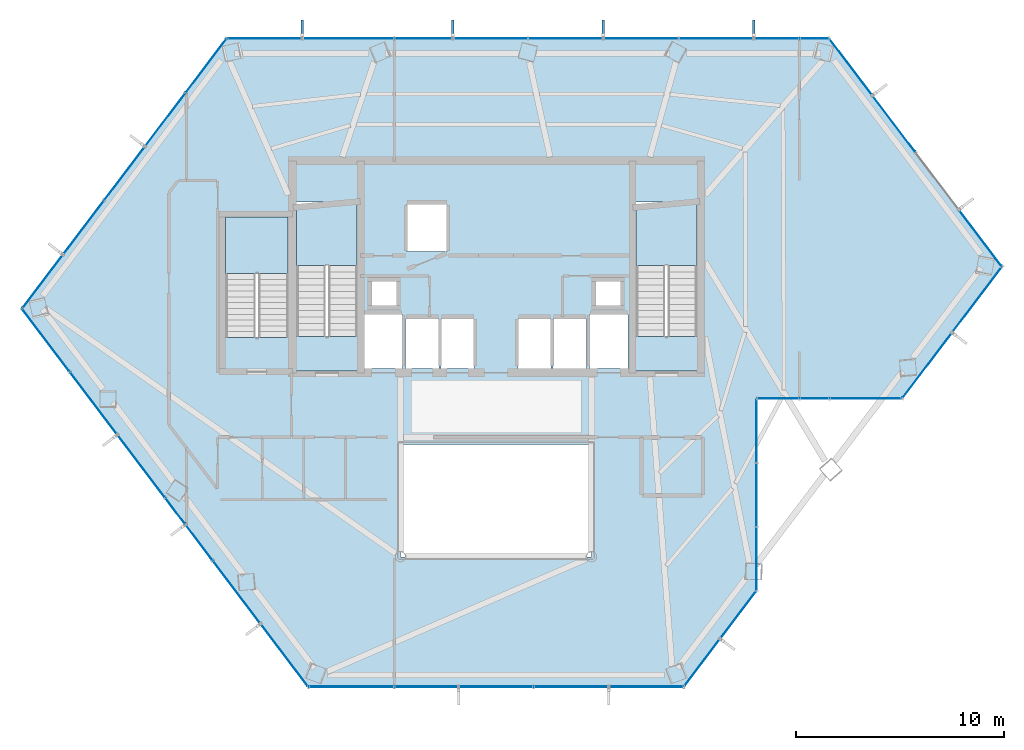
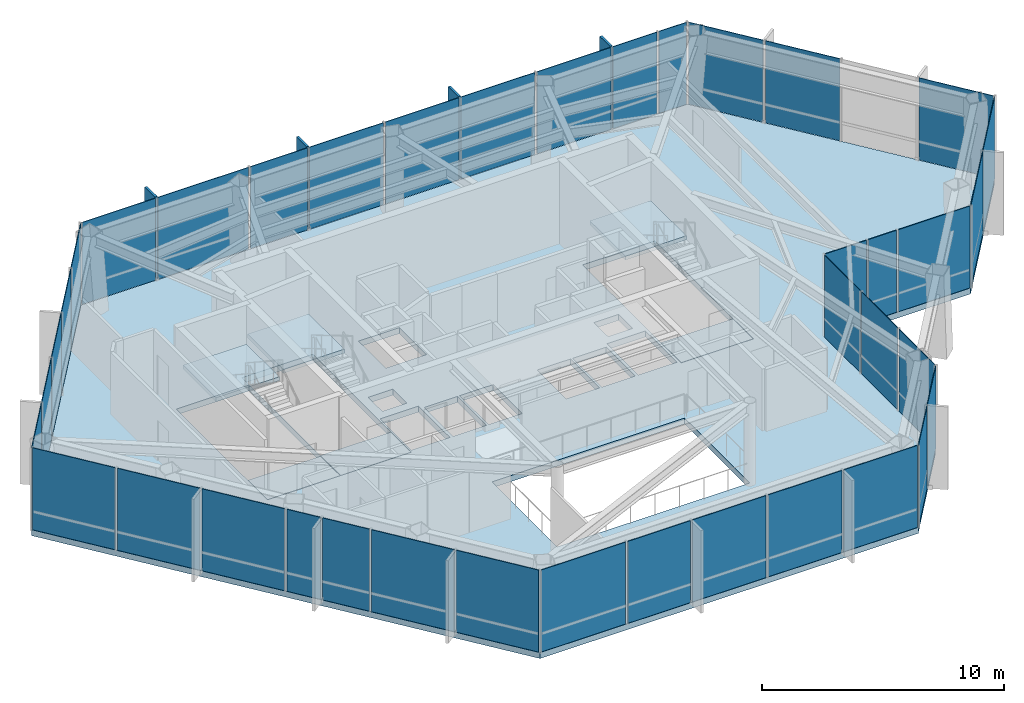
# One storey, part 21 of 25: 39 plates, 7 slabs, 4 members, 12 elements without a shape of their own.
"""IFC4 building model written with IfcOpenShell, lengths in metres."""

from ifc_helpers import new_model, si_unit, direction, frame, origin, origin_2d, place, context, subcontext, project, spatial, polyline, rectangle, outline, extrude, material, layer, layer_set, material_profile, profile_set, type_object, element, aggregate, save


model = new_model("IFC4")

# Units and contexts
model_context = context("Model", 3, precision=1e-05, world=origin(), true_north=direction((0.0, 1.0)))
body_context = subcontext(model_context, "Body", "Model", "MODEL_VIEW")
ifc_project = project(units=[si_unit("LENGTHUNIT", "METRE"), si_unit("AREAUNIT", "SQUARE_METRE"), si_unit("VOLUMEUNIT", "CUBIC_METRE"), si_unit("PLANEANGLEUNIT", "RADIAN"), si_unit("MASSUNIT", "GRAM", prefix="KILO")], contexts=[model_context])

# Site, building, storey
site_placement = place(None, origin())
site = spatial("IfcSite", under=ifc_project, at=site_placement, CompositionType="ELEMENT")
building_placement = place(site_placement, origin())
building = spatial("IfcBuilding", under=site, at=building_placement, Name="Zarrinselat Tower", CompositionType="ELEMENT")
storey_placement = place(building_placement, frame((0.0, 0.0, 119.0)))
storey = spatial("IfcBuildingStorey", under=building, at=storey_placement, Name="L28", CompositionType="ELEMENT", Elevation=119.0)

# Curtain wall, members
ifc_material_1 = material(Name="Extruded Aluminium Alloy EN AW-6063 T6", Category="aluminium")
ifc_layer_1 = layer(ifc_material_1, 0.195068359375)
ifc_layer_set_1 = layer_set([ifc_layer_1], Name="Extruded Aluminium Alloy EN AW-6063 T6")
curtain_wall_type_1 = type_object("IfcCurtainWallType", Name="CWS-GDN", PredefinedType="NOTDEFINED", material=ifc_layer_set_1)
curtain_wall_1_placement = place(storey_placement, origin())
curtain_wall_1 = element("IfcCurtainWall", 1, at=curtain_wall_1_placement, inside=storey, type_object=curtain_wall_type_1, Name="L28 Unitised Curtain Wall CW-L28-E04", PredefinedType="NOTDEFINED")
ifc_material_2 = material(Name="Honed Cream Travertine Stone", Category="masonry")
ifc_material_profile = material_profile(ifc_material_2, rectangle(XDim=0.1201171875, YDim=0.85009765625, at=origin_2d()), Name="FIN 850x120")
ifc_profile_set = profile_set([ifc_material_profile], Name="Honed Cream Travertine Stone")
member_type = type_object("IfcMemberType", Name="MEM-STONE-FIN", PredefinedType="USERDEFINED", material=ifc_profile_set)
member_1_placement = place(storey_placement, frame((29.067138671875, 49.804443359375, 0.0), z_axis=(0.0, 0.0, 1.0), x_axis=(1.0, 0.0, 0.0)))
member_1 = element("IfcMember", 2, at=member_1_placement, type_object=member_type, Name="L28 Stone Shading Fin CW-L28-E04-01", ObjectType="FIN", PredefinedType="USERDEFINED", context=body_context, shape_type="SweptSolid", body=[
    extrude(rectangle(XDim=0.1201171875, YDim=0.85009765625, at=origin_2d()), origin(), (0.0, 0.0, 1.0), 4.179931640625),
])
member_2_placement = place(storey_placement, frame((36.3125, 49.804443359375, 0.0), z_axis=(0.0, 0.0, 1.0), x_axis=(1.0, 0.0, 0.0)))
member_2 = element("IfcMember", 3, at=member_2_placement, type_object=member_type, Name="L28 Stone Shading Fin CW-L28-E04-03", ObjectType="FIN", PredefinedType="USERDEFINED", context=body_context, shape_type="SweptSolid", body=[
    extrude(rectangle(XDim=0.1201171875, YDim=0.85009765625, at=origin_2d()), origin(), (0.0, 0.0, 1.0), 4.179931640625),
])
member_3_placement = place(storey_placement, frame((43.55810546875, 49.804443359375, 0.0), z_axis=(0.0, 0.0, 1.0), x_axis=(1.0, 0.0, 0.0)))
member_3 = element("IfcMember", 4, at=member_3_placement, type_object=member_type, Name="L28 Stone Shading Fin CW-L28-E04-05", ObjectType="FIN", PredefinedType="USERDEFINED", context=body_context, shape_type="SweptSolid", body=[
    extrude(rectangle(XDim=0.1201171875, YDim=0.85009765625, at=origin_2d()), origin(), (0.0, 0.0, 1.0), 4.179931640625),
])
member_4_placement = place(storey_placement, frame((50.8037109375, 49.804443359375, 0.0), z_axis=(0.0, 0.0, 1.0), x_axis=(1.0, 0.0, 0.0)))
member_4 = element("IfcMember", 5, at=member_4_placement, type_object=member_type, Name="L28 Stone Shading Fin CW-L28-E04-07", ObjectType="FIN", PredefinedType="USERDEFINED", context=body_context, shape_type="SweptSolid", body=[
    extrude(rectangle(XDim=0.1201171875, YDim=0.85009765625, at=origin_2d()), origin(), (0.0, 0.0, 1.0), 4.179931640625),
])

# Curtain wall, plates
curtain_wall_2_placement = place(storey_placement, origin())
curtain_wall_2 = element("IfcCurtainWall", 6, at=curtain_wall_2_placement, inside=storey, type_object=curtain_wall_type_1, Name="L28 Unitised Curtain Wall CW-L28-E01", PredefinedType="NOTDEFINED")
ifc_material_3 = material(Name="Double Low-E Laminated Solar Glass", Category="glass")
ifc_layer_2 = layer(ifc_material_3, 0.031982421875)
ifc_layer_set_2 = layer_set([ifc_layer_2], Name="Double Low-E Laminated Solar Glass")
plate_type = type_object("IfcPlateType", Name="PLT-CW-GL32", PredefinedType="CURTAIN_PANEL", material=ifc_layer_set_2)
plate_1_placement = place(storey_placement, frame((45.625732421875, 18.147216796875, 0.02001953125), z_axis=(0.0, 0.0, 1.0), x_axis=(-1.0, 0.0, 0.0)))
plate_1 = element("IfcPlate", 7, at=plate_1_placement, type_object=plate_type, Name="CW-L28-E01 Vision Glass Panel 1", PredefinedType="CURTAIN_PANEL", context=body_context, shape_type="SweptSolid", body=[
    extrude(rectangle(XDim=3.512939453125, YDim=0.031982421875, at=origin_2d()), origin(), (0.0, 0.0, 1.0), 4.139892578125),
])
plate_2_placement = place(storey_placement, frame((42.012939453125, 18.147216796875, 0.02001953125), z_axis=(0.0, 0.0, 1.0), x_axis=(-1.0, 0.0, 0.0)))
plate_2 = element("IfcPlate", 8, at=plate_2_placement, type_object=plate_type, Name="CW-L28-E01 Vision Glass Panel 2", PredefinedType="CURTAIN_PANEL", context=body_context, shape_type="SweptSolid", body=[
    extrude(rectangle(XDim=3.512939453125, YDim=0.031982421875, at=origin_2d()), origin(), (0.0, 0.0, 1.0), 4.139892578125),
])
plate_3_placement = place(storey_placement, frame((38.39990234375, 18.147216796875, 0.02001953125), z_axis=(0.0, 0.0, 1.0), x_axis=(-1.0, 0.0, 0.0)))
plate_3 = element("IfcPlate", 9, at=plate_3_placement, type_object=plate_type, Name="CW-L28-E01 Vision Glass Panel 3", PredefinedType="CURTAIN_PANEL", context=body_context, shape_type="SweptSolid", body=[
    extrude(rectangle(XDim=3.512939453125, YDim=0.031982421875, at=origin_2d()), origin(), (0.0, 0.0, 1.0), 4.139892578125),
])
plate_4_placement = place(storey_placement, frame((35.046875, 18.147216796875, 0.02001953125), z_axis=(0.0, 0.0, 1.0), x_axis=(-1.0, 0.0, 0.0)))
plate_4 = element("IfcPlate", 10, at=plate_4_placement, type_object=plate_type, Name="CW-L28-E01 Vision Glass Panel 4", PredefinedType="CURTAIN_PANEL", context=body_context, shape_type="SweptSolid", body=[
    extrude(rectangle(XDim=2.993408203125, YDim=0.031982421875, at=origin_2d()), origin(), (0.0, 0.0, 1.0), 4.139892578125),
])
plate_5_placement = place(storey_placement, frame((31.433837890625, 18.147216796875, 0.02001953125), z_axis=(0.0, 0.0, 1.0), x_axis=(-1.0, 0.0, 0.0)))
plate_5 = element("IfcPlate", 11, at=plate_5_placement, type_object=plate_type, Name="CW-L28-E01 Vision Glass Panel 5", PredefinedType="CURTAIN_PANEL", context=body_context, shape_type="SweptSolid", body=[
    extrude(rectangle(XDim=4.0322265625, YDim=0.031982421875, at=origin_2d()), origin(), (0.0, 0.0, 1.0), 4.139892578125),
])
aggregate(curtain_wall_2, [plate_1, plate_2, plate_3, plate_4, plate_5])

curtain_wall_3_placement = place(storey_placement, origin())
curtain_wall_3 = element("IfcCurtainWall", 12, at=curtain_wall_3_placement, inside=storey, type_object=curtain_wall_type_1, Name="L28 Unitised Curtain Wall CW-L28-E02", PredefinedType="NOTDEFINED")
plate_6_placement = place(storey_placement, frame((28.219482421875, 19.662841796875, 0.02001953125), z_axis=(0.0, 0.0, 1.0), x_axis=(-0.603858025511, 0.79709189246, 0.0)))
plate_6 = element("IfcPlate", 13, at=plate_6_placement, type_object=plate_type, Name="CW-L28-E02 Vision Glass Panel 1", PredefinedType="CURTAIN_PANEL", context=body_context, shape_type="SweptSolid", body=[
    extrude(rectangle(XDim=3.702880859375, YDim=0.031982421875, at=origin_2d()), origin(), (0.0, 0.0, 1.0), 4.139892578125),
])
plate_7_placement = place(storey_placement, frame((25.923095703125, 22.694091796875, 0.02001953125), z_axis=(0.0, 0.0, 1.0), x_axis=(-0.603858025511, 0.79709189246, 0.0)))
plate_7 = element("IfcPlate", 14, at=plate_7_placement, type_object=plate_type, Name="CW-L28-E02 Vision Glass Panel 2", PredefinedType="CURTAIN_PANEL", context=body_context, shape_type="SweptSolid", body=[
    extrude(rectangle(XDim=3.702880859375, YDim=0.031982421875, at=origin_2d()), origin(), (0.0, 0.0, 1.0), 4.139892578125),
])
plate_8_placement = place(storey_placement, frame((24.113525390625, 25.082763671875, 0.02001953125), z_axis=(0.0, 0.0, 1.0), x_axis=(-0.603858025511, 0.79709189246, 0.0)))
plate_8 = element("IfcPlate", 15, at=plate_8_placement, type_object=plate_type, Name="CW-L28-E02 Vision Glass Panel 3", PredefinedType="CURTAIN_PANEL", context=body_context, shape_type="SweptSolid", body=[
    extrude(rectangle(XDim=2.090087890625, YDim=0.031982421875, at=origin_2d()), origin(), (0.0, 0.0, 1.0), 4.139892578125),
])
plate_9_placement = place(storey_placement, frame((22.965087890625, 26.598388671875, 0.02001953125), z_axis=(0.0, 0.0, 1.0), x_axis=(-0.603858025511, 0.79709189246, 0.0)))
plate_9 = element("IfcPlate", 16, at=plate_9_placement, type_object=plate_type, Name="CW-L28-E02 Vision Glass Panel 4", PredefinedType="CURTAIN_PANEL", context=body_context, shape_type="SweptSolid", body=[
    extrude(rectangle(XDim=1.5126953125, YDim=0.031982421875, at=origin_2d()), origin(), (0.0, 0.0, 1.0), 4.139892578125),
])
plate_10_placement = place(storey_placement, frame((21.330078125, 28.7568359375, 0.02001953125), z_axis=(0.0, 0.0, 1.0), x_axis=(-0.603858025511, 0.79709189246, 0.0)))
plate_10 = element("IfcPlate", 17, at=plate_10_placement, type_object=plate_type, Name="CW-L28-E02 Vision Glass Panel 5", PredefinedType="CURTAIN_PANEL", context=body_context, shape_type="SweptSolid", body=[
    extrude(rectangle(XDim=3.702880859375, YDim=0.031982421875, at=origin_2d()), origin(), (0.0, 0.0, 1.0), 4.139892578125),
])
plate_11_placement = place(storey_placement, frame((19.03369140625, 31.7880859375, 0.02001953125), z_axis=(0.0, 0.0, 1.0), x_axis=(-0.603858025511, 0.79709189246, 0.0)))
plate_11 = element("IfcPlate", 18, at=plate_11_placement, type_object=plate_type, Name="CW-L28-E02 Vision Glass Panel 6", PredefinedType="CURTAIN_PANEL", context=body_context, shape_type="SweptSolid", body=[
    extrude(rectangle(XDim=3.702880859375, YDim=0.031982421875, at=origin_2d()), origin(), (0.0, 0.0, 1.0), 4.139892578125),
])
plate_12_placement = place(storey_placement, frame((16.737060546875, 34.8193359375, 0.02001953125), z_axis=(0.0, 0.0, 1.0), x_axis=(-0.603858025511, 0.79709189246, 0.0)))
plate_12 = element("IfcPlate", 19, at=plate_12_placement, type_object=plate_type, Name="CW-L28-E02 Vision Glass Panel 7", PredefinedType="CURTAIN_PANEL", context=body_context, shape_type="SweptSolid", body=[
    extrude(rectangle(XDim=3.702880859375, YDim=0.031982421875, at=origin_2d()), origin(), (0.0, 0.0, 1.0), 4.139892578125),
])
aggregate(curtain_wall_3, [plate_6, plate_7, plate_8, plate_9, plate_10, plate_11, plate_12])

curtain_wall_4_placement = place(storey_placement, origin())
curtain_wall_4 = element("IfcCurtainWall", 20, at=curtain_wall_4_placement, inside=storey, type_object=curtain_wall_type_1, Name="L28 Unitised Curtain Wall CW-L28-E03", PredefinedType="NOTDEFINED")
plate_13_placement = place(storey_placement, frame((16.574462890625, 37.635986328125, 0.02001953125), z_axis=(0.0, 0.0, 1.0), x_axis=(0.603856508336, 0.797093041834, 0.0)))
plate_13 = element("IfcPlate", 21, at=plate_13_placement, type_object=plate_type, Name="CW-L28-E03 Vision Glass Panel 1", PredefinedType="CURTAIN_PANEL", context=body_context, shape_type="SweptSolid", body=[
    extrude(rectangle(XDim=3.164306640625, YDim=0.031982421875, at=origin_2d()), origin(), (0.0, 0.0, 1.0), 4.139892578125),
])
plate_14_placement = place(storey_placement, frame((18.54541015625, 40.23779296875, 0.02001953125), z_axis=(0.0, 0.0, 1.0), x_axis=(0.603856508336, 0.797093041834, 0.0)))
plate_14 = element("IfcPlate", 22, at=plate_14_placement, type_object=plate_type, Name="CW-L28-E03 Vision Glass Panel 2", PredefinedType="CURTAIN_PANEL", context=body_context, shape_type="SweptSolid", body=[
    extrude(rectangle(XDim=3.164306640625, YDim=0.031982421875, at=origin_2d()), origin(), (0.0, 0.0, 1.0), 4.139892578125),
])
plate_15_placement = place(storey_placement, frame((20.5166015625, 42.839599609375, 0.02001953125), z_axis=(0.0, 0.0, 1.0), x_axis=(0.603856508336, 0.797093041834, 0.0)))
plate_15 = element("IfcPlate", 23, at=plate_15_placement, type_object=plate_type, Name="CW-L28-E03 Vision Glass Panel 3", PredefinedType="CURTAIN_PANEL", context=body_context, shape_type="SweptSolid", body=[
    extrude(rectangle(XDim=3.164306640625, YDim=0.031982421875, at=origin_2d()), origin(), (0.0, 0.0, 1.0), 4.139892578125),
])
plate_16_placement = place(storey_placement, frame((22.477294921875, 45.427734375, 0.02001953125), z_axis=(0.0, 0.0, 1.0), x_axis=(0.603856508336, 0.797093041834, 0.0)))
plate_16 = element("IfcPlate", 24, at=plate_16_placement, type_object=plate_type, Name="CW-L28-E03 Vision Glass Panel 4", PredefinedType="CURTAIN_PANEL", context=body_context, shape_type="SweptSolid", body=[
    extrude(rectangle(XDim=3.129150390625, YDim=0.031982421875, at=origin_2d()), origin(), (0.0, 0.0, 1.0), 4.139892578125),
])
plate_17_placement = place(storey_placement, frame((24.4482421875, 48.029541015625, 0.02001953125), z_axis=(0.0, 0.0, 1.0), x_axis=(0.603856508336, 0.797093041834, 0.0)))
plate_17 = element("IfcPlate", 25, at=plate_17_placement, type_object=plate_type, Name="CW-L28-E03 Vision Glass Panel 5", PredefinedType="CURTAIN_PANEL", context=body_context, shape_type="SweptSolid", body=[
    extrude(rectangle(XDim=3.19921875, YDim=0.031982421875, at=origin_2d()), origin(), (0.0, 0.0, 1.0), 4.139892578125),
])
aggregate(curtain_wall_4, [plate_13, plate_14, plate_15, plate_16, plate_17])

# Plate
plate_18_placement = place(storey_placement, frame((27.255859375, 49.344482421875, 0.02001953125), z_axis=(0.0, 0.0, 1.0), x_axis=(1.0, 0.0, 0.0)))
plate_18 = element("IfcPlate", 26, at=plate_18_placement, type_object=plate_type, Name="CW-L28-E04 Vision Glass Panel 1", PredefinedType="CURTAIN_PANEL", context=body_context, shape_type="SweptSolid", body=[
    extrude(rectangle(XDim=3.522705078125, YDim=0.031982421875, at=origin_2d()), origin(), (0.0, 0.0, 1.0), 4.139892578125),
])

plate_19_placement = place(storey_placement, frame((31.28369140625, 49.344482421875, 0.02001953125), z_axis=(0.0, 0.0, 1.0), x_axis=(1.0, 0.0, 0.0)))
plate_19 = element("IfcPlate", 27, at=plate_19_placement, type_object=plate_type, Name="CW-L28-E04 Vision Glass Panel 2", PredefinedType="CURTAIN_PANEL", context=body_context, shape_type="SweptSolid", body=[
    extrude(rectangle(XDim=4.3330078125, YDim=0.031982421875, at=origin_2d()), origin(), (0.0, 0.0, 1.0), 4.139892578125),
])

plate_20_placement = place(storey_placement, frame((34.90625, 49.344482421875, 0.02001953125), z_axis=(0.0, 0.0, 1.0), x_axis=(1.0, 0.0, 0.0)))
plate_20 = element("IfcPlate", 28, at=plate_20_placement, type_object=plate_type, Name="CW-L28-E04 Vision Glass Panel 3", PredefinedType="CURTAIN_PANEL", context=body_context, shape_type="SweptSolid", body=[
    extrude(rectangle(XDim=2.712646484375, YDim=0.031982421875, at=origin_2d()), origin(), (0.0, 0.0, 1.0), 4.139892578125),
])

plate_21_placement = place(storey_placement, frame((38.1240234375, 49.344482421875, 0.02001953125), z_axis=(0.0, 0.0, 1.0), x_axis=(1.0, 0.0, 0.0)))
plate_21 = element("IfcPlate", 29, at=plate_21_placement, type_object=plate_type, Name="CW-L28-E04 Vision Glass Panel 4", PredefinedType="CURTAIN_PANEL", context=body_context, shape_type="SweptSolid", body=[
    extrude(rectangle(XDim=3.522705078125, YDim=0.031982421875, at=origin_2d()), origin(), (0.0, 0.0, 1.0), 4.139892578125),
])

plate_22_placement = place(storey_placement, frame((41.74658203125, 49.344482421875, 0.02001953125), z_axis=(0.0, 0.0, 1.0), x_axis=(1.0, 0.0, 0.0)))
plate_22 = element("IfcPlate", 30, at=plate_22_placement, type_object=plate_type, Name="CW-L28-E04 Vision Glass Panel 5", PredefinedType="CURTAIN_PANEL", context=body_context, shape_type="SweptSolid", body=[
    extrude(rectangle(XDim=3.522705078125, YDim=0.031982421875, at=origin_2d()), origin(), (0.0, 0.0, 1.0), 4.139892578125),
])

plate_23_placement = place(storey_placement, frame((45.369384765625, 49.344482421875, 0.02001953125), z_axis=(0.0, 0.0, 1.0), x_axis=(1.0, 0.0, 0.0)))
plate_23 = element("IfcPlate", 31, at=plate_23_placement, type_object=plate_type, Name="CW-L28-E04 Vision Glass Panel 6", PredefinedType="CURTAIN_PANEL", context=body_context, shape_type="SweptSolid", body=[
    extrude(rectangle(XDim=3.522705078125, YDim=0.031982421875, at=origin_2d()), origin(), (0.0, 0.0, 1.0), 4.139892578125),
])

plate_24_placement = place(storey_placement, frame((48.9921875, 49.344482421875, 0.02001953125), z_axis=(0.0, 0.0, 1.0), x_axis=(1.0, 0.0, 0.0)))
plate_24 = element("IfcPlate", 32, at=plate_24_placement, type_object=plate_type, Name="CW-L28-E04 Vision Glass Panel 7", PredefinedType="CURTAIN_PANEL", context=body_context, shape_type="SweptSolid", body=[
    extrude(rectangle(XDim=3.522705078125, YDim=0.031982421875, at=origin_2d()), origin(), (0.0, 0.0, 1.0), 4.139892578125),
])

plate_25_placement = place(storey_placement, frame((51.90185546875, 49.344482421875, 0.02001953125), z_axis=(0.0, 0.0, 1.0), x_axis=(1.0, 0.0, 0.0)))
plate_25 = element("IfcPlate", 33, at=plate_25_placement, type_object=plate_type, Name="CW-L28-E04 Vision Glass Panel 8", PredefinedType="CURTAIN_PANEL", context=body_context, shape_type="SweptSolid", body=[
    extrude(rectangle(XDim=2.096435546875, YDim=0.031982421875, at=origin_2d()), origin(), (0.0, 0.0, 1.0), 4.139892578125),
])

plate_26_placement = place(storey_placement, frame((53.713134765625, 49.344482421875, 0.02001953125), z_axis=(0.0, 0.0, 1.0), x_axis=(1.0, 0.0, 0.0)))
plate_26 = element("IfcPlate", 34, at=plate_26_placement, type_object=plate_type, Name="CW-L28-E04 Vision Glass Panel 9", PredefinedType="CURTAIN_PANEL", context=body_context, shape_type="SweptSolid", body=[
    extrude(rectangle(XDim=1.326416015625, YDim=0.031982421875, at=origin_2d()), origin(), (0.0, 0.0, 1.0), 4.139892578125),
])

aggregate(curtain_wall_1, [member_1, member_2, member_3, member_4, plate_18, plate_19, plate_20, plate_21, plate_22, plate_23, plate_24, plate_25, plate_26])

# Curtain wall, plates
curtain_wall_5_placement = place(storey_placement, origin())
curtain_wall_5 = element("IfcCurtainWall", 35, at=curtain_wall_5_placement, inside=storey, type_object=curtain_wall_type_1, Name="L28 Unitised Curtain Wall CW-L28-E05", PredefinedType="NOTDEFINED")
plate_27_placement = place(storey_placement, frame((55.46630859375, 47.9716796875, 0.02001953125), z_axis=(0.0, 0.0, 1.0), x_axis=(0.603856430388, -0.797093100885, 0.0)))
plate_27 = element("IfcPlate", 36, at=plate_27_placement, type_object=plate_type, Name="CW-L28-E05 Vision Glass Panel 1", PredefinedType="CURTAIN_PANEL", context=body_context, shape_type="SweptSolid", body=[
    extrude(rectangle(XDim=3.344482421875, YDim=0.031982421875, at=origin_2d()), origin(), (0.0, 0.0, 1.0), 4.139892578125),
])
plate_28_placement = place(storey_placement, frame((57.54638671875, 45.225830078125, 0.02001953125), z_axis=(0.0, 0.0, 1.0), x_axis=(0.603856430388, -0.797093100885, 0.0)))
plate_28 = element("IfcPlate", 37, at=plate_28_placement, type_object=plate_type, Name="CW-L28-E05 Vision Glass Panel 2", PredefinedType="CURTAIN_PANEL", context=body_context, shape_type="SweptSolid", body=[
    extrude(rectangle(XDim=3.344482421875, YDim=0.031982421875, at=origin_2d()), origin(), (0.0, 0.0, 1.0), 4.139892578125),
])
plate_29_placement = place(storey_placement, frame((61.70654296875, 39.734619140625, 0.02001953125), z_axis=(0.0, 0.0, 1.0), x_axis=(0.603856430388, -0.797093100885, 0.0)))
plate_29 = element("IfcPlate", 38, at=plate_29_placement, type_object=plate_type, Name="CW-L28-E05 Vision Glass Panel 4", PredefinedType="CURTAIN_PANEL", context=body_context, shape_type="SweptSolid", body=[
    extrude(rectangle(XDim=3.344482421875, YDim=0.031982421875, at=origin_2d()), origin(), (0.0, 0.0, 1.0), 4.139892578125),
])
aggregate(curtain_wall_5, [plate_27, plate_28, plate_29])

curtain_wall_6_placement = place(storey_placement, origin())
curtain_wall_6 = element("IfcCurtainWall", 39, at=curtain_wall_6_placement, inside=storey, type_object=curtain_wall_type_1, Name="L28 Unitised Curtain Wall CW-L28-E06", PredefinedType="NOTDEFINED")
plate_30_placement = place(storey_placement, frame((61.54443359375, 36.77490234375, 0.02001953125), z_axis=(0.0, 0.0, 1.0), x_axis=(-0.60386042105, -0.79709007765, 0.0)))
plate_30 = element("IfcPlate", 40, at=plate_30_placement, type_object=plate_type, Name="CW-L28-E06 Vision Glass Panel 1", PredefinedType="CURTAIN_PANEL", context=body_context, shape_type="SweptSolid", body=[
    extrude(rectangle(XDim=3.881103515625, YDim=0.031982421875, at=origin_2d()), origin(), (0.0, 0.0, 1.0), 4.139892578125),
])
plate_31_placement = place(storey_placement, frame((59.140380859375, 33.601806640625, 0.02001953125), z_axis=(0.0, 0.0, 1.0), x_axis=(-0.60386042105, -0.79709007765, 0.0)))
plate_31 = element("IfcPlate", 41, at=plate_31_placement, type_object=plate_type, Name="CW-L28-E06 Vision Glass Panel 2", PredefinedType="CURTAIN_PANEL", context=body_context, shape_type="SweptSolid", body=[
    extrude(rectangle(XDim=3.881103515625, YDim=0.031982421875, at=origin_2d()), origin(), (0.0, 0.0, 1.0), 4.139892578125),
])
aggregate(curtain_wall_6, [plate_30, plate_31])

ifc_material_4 = material(Name="Extruded Aluminium Alloy EN AW-6063 T6", Category="aluminium")
ifc_layer_3 = layer(ifc_material_4, 0.18994140625)
ifc_layer_set_3 = layer_set([ifc_layer_3], Name="Extruded Aluminium Alloy EN AW-6063 T6")
curtain_wall_type_2 = type_object("IfcCurtainWallType", Name="CWS-SG", PredefinedType="NOTDEFINED", material=ifc_layer_set_3)
curtain_wall_7_placement = place(storey_placement, origin())
curtain_wall_7 = element("IfcCurtainWall", 42, at=curtain_wall_7_placement, inside=storey, type_object=curtain_wall_type_2, Name="L28 Unitised Curtain Wall CW-L28-E07", PredefinedType="NOTDEFINED")
plate_32_placement = place(storey_placement, frame((56.1904296875, 32.014892578125, 0.02001953125), z_axis=(0.0, 0.0, 1.0), x_axis=(-1.0, 0.0, 0.0)))
plate_32 = element("IfcPlate", 43, at=plate_32_placement, type_object=plate_type, Name="CW-L28-E07 Vision Glass Panel 1", PredefinedType="CURTAIN_PANEL", context=body_context, shape_type="SweptSolid", body=[
    extrude(rectangle(XDim=3.39599609375, YDim=0.031982421875, at=origin_2d()), origin(), (0.0, 0.0, 1.0), 4.139892578125),
])
plate_33_placement = place(storey_placement, frame((53.72119140625, 32.014892578125, 0.02001953125), z_axis=(0.0, 0.0, 1.0), x_axis=(-1.0, 0.0, 0.0)))
plate_33 = element("IfcPlate", 44, at=plate_33_placement, type_object=plate_type, Name="CW-L28-E07 Vision Glass Panel 2", PredefinedType="CURTAIN_PANEL", context=body_context, shape_type="SweptSolid", body=[
    extrude(rectangle(XDim=1.34228515625, YDim=0.031982421875, at=origin_2d()), origin(), (0.0, 0.0, 1.0), 4.139892578125),
])
plate_34_placement = place(storey_placement, frame((51.973388671875, 32.014892578125, 0.02001953125), z_axis=(0.0, 0.0, 1.0), x_axis=(-1.0, 0.0, 0.0)))
plate_34 = element("IfcPlate", 45, at=plate_34_placement, type_object=plate_type, Name="CW-L28-E07 Vision Glass Panel 3", PredefinedType="CURTAIN_PANEL", context=body_context, shape_type="SweptSolid", body=[
    extrude(rectangle(XDim=1.95361328125, YDim=0.031982421875, at=origin_2d()), origin(), (0.0, 0.0, 1.0), 4.139892578125),
])
aggregate(curtain_wall_7, [plate_32, plate_33, plate_34])

curtain_wall_8_placement = place(storey_placement, origin())
curtain_wall_8 = element("IfcCurtainWall", 46, at=curtain_wall_8_placement, inside=storey, type_object=curtain_wall_type_2, Name="L28 Unitised Curtain Wall CW-L28-E24", PredefinedType="NOTDEFINED")
plate_35_placement = place(storey_placement, frame((50.931396484375, 30.4609375, 0.02001953125), z_axis=(0.0, 0.0, 1.0), x_axis=(0.0, -1.0, 0.0)))
plate_35 = element("IfcPlate", 47, at=plate_35_placement, type_object=plate_type, Name="CW-L28-E24 Vision Glass Panel 1", PredefinedType="CURTAIN_PANEL", context=body_context, shape_type="SweptSolid", body=[
    extrude(rectangle(XDim=2.97802734375, YDim=0.031982421875, at=origin_2d()), origin(), (0.0, 0.0, 1.0), 4.139892578125),
])
plate_36_placement = place(storey_placement, frame((50.931396484375, 27.383056640625, 0.02001953125), z_axis=(0.0, 0.0, 1.0), x_axis=(0.0, -1.0, 0.0)))
plate_36 = element("IfcPlate", 48, at=plate_36_placement, type_object=plate_type, Name="CW-L28-E24 Vision Glass Panel 2", PredefinedType="CURTAIN_PANEL", context=body_context, shape_type="SweptSolid", body=[
    extrude(rectangle(XDim=2.97802734375, YDim=0.031982421875, at=origin_2d()), origin(), (0.0, 0.0, 1.0), 4.139892578125),
])
plate_37_placement = place(storey_placement, frame((50.931396484375, 24.304931640625, 0.02001953125), z_axis=(0.0, 0.0, 1.0), x_axis=(0.0, -1.0, 0.0)))
plate_37 = element("IfcPlate", 49, at=plate_37_placement, type_object=plate_type, Name="CW-L28-E24 Vision Glass Panel 3", PredefinedType="CURTAIN_PANEL", context=body_context, shape_type="SweptSolid", body=[
    extrude(rectangle(XDim=2.97802734375, YDim=0.031982421875, at=origin_2d()), origin(), (0.0, 0.0, 1.0), 4.139892578125),
])
aggregate(curtain_wall_8, [plate_35, plate_36, plate_37])

curtain_wall_9_placement = place(storey_placement, origin())
curtain_wall_9 = element("IfcCurtainWall", 50, at=curtain_wall_9_placement, inside=storey, type_object=curtain_wall_type_1, Name="L28 Unitised Curtain Wall CW-L28-E25", PredefinedType="NOTDEFINED")
plate_38_placement = place(storey_placement, frame((50.056640625, 21.611328125, 0.02001953125), z_axis=(0.0, 0.0, 1.0), x_axis=(-0.60386042105, -0.79709007765, 0.0)))
plate_38 = element("IfcPlate", 51, at=plate_38_placement, type_object=plate_type, Name="CW-L28-E25 Vision Glass Panel 1", PredefinedType="CURTAIN_PANEL", context=body_context, shape_type="SweptSolid", body=[
    extrude(rectangle(XDim=2.79736328125, YDim=0.031982421875, at=origin_2d()), origin(), (0.0, 0.0, 1.0), 4.139892578125),
])
plate_39_placement = place(storey_placement, frame((48.30712890625, 19.3017578125, 0.02001953125), z_axis=(0.0, 0.0, 1.0), x_axis=(-0.60386042105, -0.79709007765, 0.0)))
plate_39 = element("IfcPlate", 52, at=plate_39_placement, type_object=plate_type, Name="CW-L28-E25 Vision Glass Panel 2", PredefinedType="CURTAIN_PANEL", context=body_context, shape_type="SweptSolid", body=[
    extrude(rectangle(XDim=2.79736328125, YDim=0.031982421875, at=origin_2d()), origin(), (0.0, 0.0, 1.0), 4.139892578125),
])
aggregate(curtain_wall_9, [plate_38, plate_39])

# Slabs
ifc_material_5 = material(Name="Concrete C40/50", Category="concrete")
ifc_layer_4 = layer(ifc_material_5, 0.300048828125)
ifc_layer_set_4 = layer_set([ifc_layer_4], Name="Concrete C40/50")
slab_type_1 = type_object("IfcSlabType", Name="SLB-FLOOR-300-SL-SK300", PredefinedType="FLOOR", material=ifc_layer_set_4)
slab_1_placement = place(storey_placement, frame((0.0, 0.0, -0.300048828125)))
element("IfcSlab", 53, at=slab_1_placement, inside=storey, type_object=slab_type_1, Name="L28 Primary Structural Slab", PredefinedType="FLOOR", context=body_context, shape_type="SweptSolid", body=[
    extrude(outline(polyline([(47.432373046875, 18.147216796875), (29.36767578125, 18.147216796875), (15.5888671875, 36.335205078125), (25.4443359375, 49.344482421875), (54.42626953125, 49.344482421875), (62.74658203125, 38.36181640625), (57.9384765625, 32.014892578125), (50.946533203125, 32.014892578125), (50.945068359375, 32.014892578125), (50.943603515625, 32.0146484375), (50.942138671875, 32.014404296875), (50.94091796875, 32.013916015625), (50.939453125, 32.01318359375), (50.938232421875, 32.012451171875), (50.93701171875, 32.01171875), (50.935791015625, 32.010498046875), (50.934814453125, 32.009521484375), (50.93408203125, 32.00830078125), (50.933349609375, 32.007080078125), (50.9326171875, 32.005615234375), (50.93212890625, 32.00439453125), (50.931884765625, 32.0029296875), (50.931640625, 32.00146484375), (50.931396484375, 32.0), (50.931396484375, 22.76611328125), (47.432373046875, 18.147216796875)]), holes=[polyline([(35.64990234375, 33.449951171875), (34.050048828125, 33.449951171875), (34.050048828125, 35.85009765625), (35.64990234375, 35.85009765625), (35.64990234375, 33.449951171875)]), polyline([(35.75, 33.449951171875), (35.75, 35.85009765625), (37.35009765625, 35.85009765625), (37.35009765625, 33.449951171875), (35.75, 33.449951171875)]), polyline([(32.06005859375, 33.449951171875), (32.06005859375, 36.050048828125), (33.89990234375, 36.050048828125), (33.89990234375, 33.449951171875), (32.06005859375, 33.449951171875)]), polyline([(33.60009765625, 36.47998046875), (32.419921875, 36.47998046875), (32.419921875, 37.639892578125), (33.60009765625, 37.639892578125), (33.60009765625, 36.47998046875)]), polyline([(28.594970703125, 33.324951171875), (25.114990234375, 33.324951171875), (25.114990234375, 40.875), (28.594970703125, 40.875), (28.594970703125, 33.324951171875)]), polyline([(31.985107421875, 33.324951171875), (28.60498046875, 33.324951171875), (28.60498046875, 41.47509765625), (31.985107421875, 41.47509765625), (31.985107421875, 33.324951171875)]), polyline([(36.050048828125, 39.10009765625), (34.10009765625, 39.10009765625), (34.10009765625, 41.35009765625), (36.050048828125, 41.35009765625), (36.050048828125, 39.10009765625)]), polyline([(33.800048828125, 24.39990234375), (33.800048828125, 29.800048828125), (43.0, 29.800048828125), (43.0, 24.39990234375), (33.800048828125, 24.39990234375)]), polyline([(39.449951171875, 33.449951171875), (39.449951171875, 35.85009765625), (41.050048828125, 35.85009765625), (41.050048828125, 33.449951171875), (39.449951171875, 33.449951171875)]), polyline([(41.14990234375, 33.449951171875), (41.14990234375, 35.85009765625), (42.75, 35.85009765625), (42.75, 33.449951171875), (41.14990234375, 33.449951171875)]), polyline([(42.89990234375, 33.449951171875), (42.89990234375, 36.050048828125), (44.739990234375, 36.050048828125), (44.739990234375, 33.449951171875), (42.89990234375, 33.449951171875)]), polyline([(43.199951171875, 36.47998046875), (43.199951171875, 37.639892578125), (44.3798828125, 37.639892578125), (44.3798828125, 36.47998046875), (43.199951171875, 36.47998046875)]), polyline([(48.324951171875, 33.324951171875), (44.875, 33.324951171875), (44.875, 41.47509765625), (48.324951171875, 41.47509765625), (48.324951171875, 33.324951171875)])]), origin(), (0.0, 0.0, 1.0), 0.300048828125),
])
slab_2_placement = place(storey_placement, frame((0.0, 0.0, -0.300048828125)))
element("IfcSlab", 54, at=slab_2_placement, inside=storey, type_object=slab_type_1, Name="L28 Stair ST-1-FL1 Structural Floor Landing", PredefinedType="FLOOR", context=body_context, shape_type="SweptSolid", body=[
    extrude(outline(polyline([(31.97998046875, 33.330078125), (31.97998046875, 35.0), (28.610107421875, 35.0), (28.610107421875, 33.330078125), (31.97998046875, 33.330078125)])), origin(), (0.0, 0.0, 1.0), 0.300048828125),
])
slab_3_placement = place(storey_placement, frame((0.0, 0.0, -0.300048828125)))
element("IfcSlab", 55, at=slab_3_placement, inside=storey, type_object=slab_type_1, Name="L28 Stair ST-2-FL1 Structural Floor Landing", PredefinedType="FLOOR", context=body_context, shape_type="SweptSolid", body=[
    extrude(outline(polyline([(48.320068359375, 33.330078125), (48.320068359375, 35.0), (44.8798828125, 35.0), (44.8798828125, 33.330078125), (48.320068359375, 33.330078125)])), origin(), (0.0, 0.0, 1.0), 0.300048828125),
])
slab_4_placement = place(storey_placement, frame((0.0, 0.0, -0.300048828125)))
element("IfcSlab", 56, at=slab_4_placement, inside=storey, type_object=slab_type_1, Name="L28 Stair ST-3-FL1 Structural Floor Landing", PredefinedType="FLOOR", context=body_context, shape_type="SweptSolid", body=[
    extrude(outline(polyline([(28.590087890625, 33.330078125), (28.590087890625, 34.949951171875), (25.1201171875, 34.949951171875), (25.1201171875, 33.330078125), (28.590087890625, 33.330078125)])), origin(), (0.0, 0.0, 1.0), 0.300048828125),
])

# Stair, slab
ifc_material_6 = material(Name="Concrete C40/50", Category="concrete")
stair_type_1 = type_object("IfcStairType", Name="STR-CORE-145", PredefinedType="HALF_TURN_STAIR", material=ifc_material_6)
stair_1_placement = place(storey_placement, origin())
stair_1 = element("IfcStair", 57, at=stair_1_placement, inside=storey, type_object=stair_type_1, Name="L28 Podium & Mid-Tower Exit Stair 3", PredefinedType="HALF_TURN_STAIR")
ifc_material_7 = material(Name="Concrete C40/50", Category="concrete")
ifc_layer_5 = layer(ifc_material_7, 0.1650390625)
ifc_layer_set_5 = layer_set([ifc_layer_5], Name="Concrete C40/50")
slab_type_2 = type_object("IfcSlabType", Name="SLB-LND-165", PredefinedType="LANDING", material=ifc_layer_set_5)
slab_5_placement = place(storey_placement, frame((0.0, 0.0, 2.010009765625)))
slab_5 = element("IfcSlab", 58, at=slab_5_placement, type_object=slab_type_2, Name="ST-3 landing 1", PredefinedType="LANDING", context=body_context, shape_type="SweptSolid", body=[
    extrude(outline(polyline([(28.39990234375, 38.030029296875), (28.39990234375, 40.75), (25.3798828125, 40.75), (25.3798828125, 38.030029296875), (28.39990234375, 38.030029296875)])), origin(), (0.0, 0.0, 1.0), 0.199951171875),
])
aggregate(stair_1, [slab_5])

ifc_material_8 = material(Name="Concrete C40/50", Category="concrete")
stair_type_2 = type_object("IfcStairType", Name="STR-CORE-155", PredefinedType="HALF_TURN_STAIR", material=ifc_material_8)
stair_2_placement = place(storey_placement, origin())
stair_2 = element("IfcStair", 59, at=stair_2_placement, inside=storey, type_object=stair_type_2, Name="L28 Core Exit Stair 1", PredefinedType="HALF_TURN_STAIR")
ifc_material_9 = material(Name="Concrete C40/50", Category="concrete")
ifc_layer_6 = layer(ifc_material_9, 0.18994140625)
ifc_layer_set_6 = layer_set([ifc_layer_6], Name="Concrete C40/50")
slab_type_3 = type_object("IfcSlabType", Name="SLB-LND-190", PredefinedType="LANDING", material=ifc_layer_set_6)
slab_6_placement = place(storey_placement, frame((0.0, 0.0, 2.010009765625)))
slab_6 = element("IfcSlab", 60, at=slab_6_placement, type_object=slab_type_3, Name="ST-1 landing 1", PredefinedType="LANDING", context=body_context, shape_type="SweptSolid", body=[
    extrude(outline(polyline([(31.719970703125, 38.409912109375), (31.719970703125, 41.35009765625), (28.800048828125, 41.35009765625), (28.800048828125, 38.409912109375), (31.719970703125, 38.409912109375)])), origin(), (0.0, 0.0, 1.0), 0.199951171875),
])
aggregate(stair_2, [slab_6])

stair_3_placement = place(storey_placement, origin())
stair_3 = element("IfcStair", 61, at=stair_3_placement, inside=storey, type_object=stair_type_2, Name="L28 Core Exit Stair 2", PredefinedType="HALF_TURN_STAIR")
slab_7_placement = place(storey_placement, frame((0.0, 0.0, 2.010009765625)))
slab_7 = element("IfcSlab", 62, at=slab_7_placement, type_object=slab_type_3, Name="ST-2 landing 1", PredefinedType="LANDING", context=body_context, shape_type="SweptSolid", body=[
    extrude(outline(polyline([(48.06005859375, 38.409912109375), (48.06005859375, 41.35009765625), (45.139892578125, 41.35009765625), (45.139892578125, 38.409912109375), (48.06005859375, 38.409912109375)])), origin(), (0.0, 0.0, 1.0), 0.199951171875),
])
aggregate(stair_3, [slab_7])

save(model, "model.ifc")
